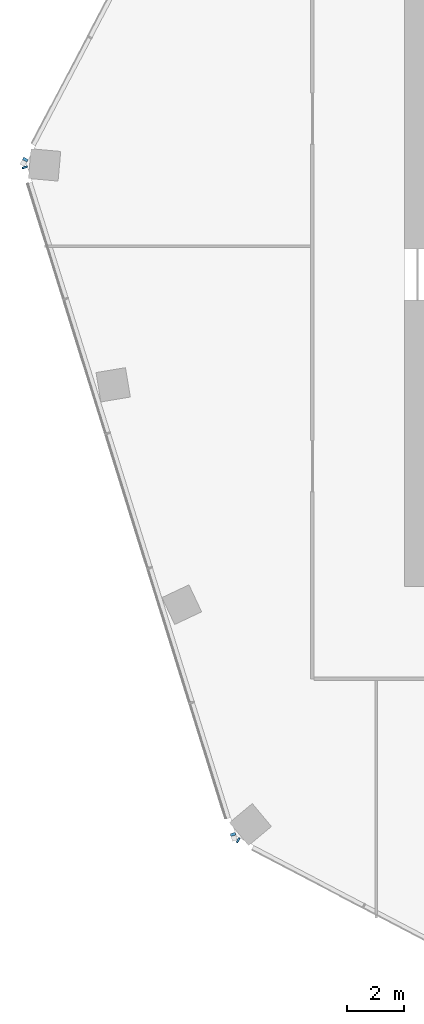
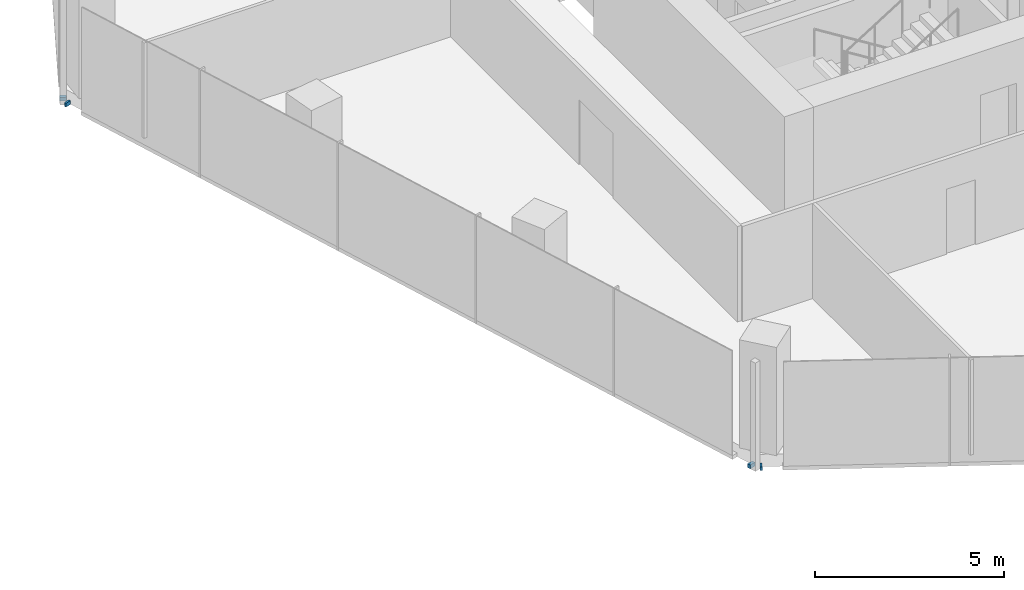
# One storey, part 12 of 23: 4 members, 3 elements without a shape of their own.
"""IFC4 building model written with IfcOpenShell, lengths in metres."""

import ifcopenshell
import ifcopenshell.guid

model = None  # the IFC model being written
_history = None  # IfcOwnerHistory: only IFC2X3 demands one
_inside = {}  # id of a spatial element -> (the spatial element, [elements in it])
_under = {}  # id of a project, library or spatial element -> (it, [spatial elements below it])
_declared = {}  # id of a project -> (the project, [libraries it declares])
_typed = {}  # id of a type object -> (the type object, [elements of that type])
_made_of = {}  # id of a material, layer set ... -> (it, [elements and type objects made of it])


def new_model(schema):
    """Start an empty IFC model of exactly this schema.

    Asked for "IFC4X3", IfcOpenShell would pick the latest addendum, in which some entities
    have other attributes; the version numbers below select the first issue.
    IFC2X3 requires an IfcOwnerHistory on every rooted entity: one is made here for all.
    """
    global model, _history
    if schema == "IFC4X3":
        model = ifcopenshell.file(schema_version=(4, 3, 0, 0))
    else:
        model = ifcopenshell.file(schema=schema)
    _inside.clear()
    _under.clear()
    _declared.clear()
    _typed.clear()
    _made_of.clear()
    _history = None
    if model.schema == "IFC2X3":
        org = make("IfcOrganization", Name="unknown")
        user = make(
            "IfcPersonAndOrganization",
            ThePerson=make("IfcPerson", FamilyName="unknown"),
            TheOrganization=org,
        )
        app = make(
            "IfcApplication",
            ApplicationDeveloper=org,
            Version="unknown",
            ApplicationFullName="unknown",
            ApplicationIdentifier="unknown",
        )
        _history = make(
            "IfcOwnerHistory",
            OwningUser=user,
            OwningApplication=app,
            ChangeAction="ADDED",
            CreationDate=0,
        )
    return model


def make(cls, **values):
    """One entity of the class cls with the attributes given. An attribute that is None is left unset."""
    return model.create_entity(
        cls, **{name: value for name, value in values.items() if value is not None}
    )


def rooted(cls, **values):
    """An entity with a GlobalId (a new one), such as an element, a storey or a relation."""
    return make(cls, GlobalId=ifcopenshell.guid.new(), OwnerHistory=_history, **values)


def si_unit(unit_type, name, prefix=None):
    """IfcSIUnit, for example si_unit("LENGTHUNIT", "METRE", prefix="MILLI")."""
    return make("IfcSIUnit", UnitType=unit_type, Prefix=prefix, Name=name)


def assignment(units):
    """IfcUnitAssignment: the units of a project."""
    return None if units is None else make("IfcUnitAssignment", Units=units)


def point(xyz):
    """IfcCartesianPoint."""
    return None if xyz is None else make("IfcCartesianPoint", Coordinates=xyz)


def direction(xyz):
    """IfcDirection."""
    return None if xyz is None else make("IfcDirection", DirectionRatios=xyz)


def frame(location, z_axis=None, x_axis=None):
    """IfcAxis2Placement3D, a coordinate frame: its origin and axes. An axis left out is left unset."""
    return make(
        "IfcAxis2Placement3D",
        Location=point(location),
        Axis=direction(z_axis),
        RefDirection=direction(x_axis),
    )


def frame_2d(location, x_axis=None):
    """IfcAxis2Placement2D, a coordinate frame in the plane: its origin and x axis."""
    return make(
        "IfcAxis2Placement2D", Location=point(location), RefDirection=direction(x_axis)
    )


def origin():
    """The frame at (0, 0, 0) with its axes left unset."""
    return frame((0.0, 0.0, 0.0))


def origin_2d():
    """The frame at (0, 0) in the plane with its x axis left unset."""
    return frame_2d((0.0, 0.0))


def place(relative_to, where):
    """IfcLocalPlacement: puts the frame where relative to a parent placement (None: the world)."""
    return make(
        "IfcLocalPlacement", PlacementRelTo=relative_to, RelativePlacement=where
    )


def context(
    kind, dimensions, precision=None, world=None, true_north=None, identifier=None
):
    """IfcGeometricRepresentationContext, for example the 3D "Model" context."""
    return make(
        "IfcGeometricRepresentationContext",
        ContextIdentifier=identifier,
        ContextType=kind,
        CoordinateSpaceDimension=dimensions,
        Precision=precision,
        WorldCoordinateSystem=world,
        TrueNorth=true_north,
    )


def subcontext(parent, identifier, kind, view, scale=None):
    """IfcGeometricRepresentationSubContext, for example "Body" below "Model"."""
    return make(
        "IfcGeometricRepresentationSubContext",
        ContextIdentifier=identifier,
        ContextType=kind,
        ParentContext=parent,
        TargetScale=scale,
        TargetView=view,
    )


def project(units=None, contexts=None):
    """IfcProject with its units and contexts."""
    return rooted(
        "IfcProject",
        Name="project",
        RepresentationContexts=contexts,
        UnitsInContext=assignment(units),
    )


def spatial(cls, under=None, at=None, **own):
    """A site, building, storey or space (cls), placed at a placement, below another one or the project."""
    s = rooted(cls, ObjectPlacement=at, **own)
    if under is not None:
        _under.setdefault(under.id(), (under, []))[1].append(s)
    return s


def profile(cls, at=None, kind="AREA", **sizes):
    """A parametric profile (cls). Its sizes go by their IFC names, for example OverallWidth=200.0."""
    return make(cls, ProfileType=kind, Position=at, **sizes)


def rectangle(**sizes):
    """IfcRectangleProfileDef."""
    return profile("IfcRectangleProfileDef", **sizes)


def extrude(swept, where, along, depth):
    """IfcExtrudedAreaSolid: the profile swept, set in the frame where, extruded along a direction by depth."""
    return make(
        "IfcExtrudedAreaSolid",
        SweptArea=swept,
        Position=where,
        ExtrudedDirection=direction(along),
        Depth=depth,
    )


def shape(context_of_items, identifier, shape_type, items):
    """IfcShapeRepresentation: the items that make up one representation, for example the "Body"."""
    return make(
        "IfcShapeRepresentation",
        ContextOfItems=context_of_items,
        RepresentationIdentifier=identifier,
        RepresentationType=shape_type,
        Items=items,
    )


def material(Name=None, Category=None):
    """IfcMaterial."""
    return make("IfcMaterial", Name=Name, Category=Category)


def material_profile(
    of_material, cross_section, Name=None, Category=None, Priority=None
):
    """IfcMaterialProfile: a cross section and its material."""
    return make(
        "IfcMaterialProfile",
        Name=Name,
        Material=of_material,
        Profile=cross_section,
        Priority=Priority,
        Category=Category,
    )


def profile_set(profiles, Name=None, composite=None):
    """IfcMaterialProfileSet."""
    return make(
        "IfcMaterialProfileSet",
        Name=Name,
        MaterialProfiles=profiles,
        CompositeProfile=composite,
    )


def made_of(thing, what):
    """Note that an element or type object is made of a material, layer set ...; save() writes the relation."""
    if what is not None:
        _made_of.setdefault(what.id(), (what, []))[1].append(thing)
    return thing


def type_object(cls, material=None, **own):
    """A type object (cls), such as IfcWallType, which elements share."""
    return made_of(rooted(cls, **own), material)


def element(
    cls,
    number,
    at=None,
    inside=None,
    cuts=None,
    type_object=None,
    material=None,
    context=None,
    identifier="Body",
    shape_type=None,
    held_by="IfcProductDefinitionShape",
    body=None,
    shapes=None,
    **own,
):
    """One element of the class cls, such as IfcWall. Its Tag is "e" and its number.

    at: its placement. inside: the storey or other place that contains it. cuts: it is an
    opening in that element (IfcRelVoidsElement). A single representation is given by context,
    identifier, shape_type and body (its items); several are given by shapes. held_by: the class
    of the entity that holds the representations. save() writes the other relations.
    """
    e = rooted(cls, Tag="e%d" % number, ObjectPlacement=at, **own)
    if body is not None:
        shapes = [shape(context, identifier, shape_type, body)]
    if shapes is not None:
        e.Representation = make(held_by, Representations=shapes)
    if inside is not None:
        _inside.setdefault(inside.id(), (inside, []))[1].append(e)
    if cuts is not None:
        rooted(
            "IfcRelVoidsElement", RelatingBuildingElement=cuts, RelatedOpeningElement=e
        )
    if type_object is not None:
        _typed.setdefault(type_object.id(), (type_object, []))[1].append(e)
    return made_of(e, material)


def aggregate(whole, parts):
    """IfcRelAggregates: a whole, such as a stair, and the parts it consists of."""
    return rooted("IfcRelAggregates", RelatingObject=whole, RelatedObjects=parts)


def save(model, path):
    """Write the relations noted so far, then the file.

    IfcRelAggregates (storeys below a building ...), IfcRelContainedInSpatialStructure (elements
    in a storey), IfcRelDefinesByType, IfcRelAssociatesMaterial and IfcRelDeclares: one each for
    every whole, place, type object, material and project.
    """
    for whole, parts in _under.values():
        aggregate(whole, parts)
    for where, things in _inside.values():
        rooted(
            "IfcRelContainedInSpatialStructure",
            RelatedElements=things,
            RelatingStructure=where,
        )
    for kind, things in _typed.values():
        rooted("IfcRelDefinesByType", RelatedObjects=things, RelatingType=kind)
    for what, things in _made_of.values():
        rooted("IfcRelAssociatesMaterial", RelatedObjects=things, RelatingMaterial=what)
    for by, libraries in _declared.values():
        rooted("IfcRelDeclares", RelatingContext=by, RelatedDefinitions=libraries)
    model.write(path)


model = new_model("IFC4")

# Units and contexts
model_context = context("Model", 3, precision=1e-05, world=origin(), true_north=direction((0.0, 1.0)))
body_context = subcontext(model_context, "Body", "Model", "MODEL_VIEW")
ifc_project = project(units=[si_unit("LENGTHUNIT", "METRE"), si_unit("AREAUNIT", "SQUARE_METRE"), si_unit("VOLUMEUNIT", "CUBIC_METRE"), si_unit("PLANEANGLEUNIT", "RADIAN"), si_unit("MASSUNIT", "GRAM", prefix="KILO")], contexts=[model_context])

# Site, building, storey
site_placement = place(None, origin())
site = spatial("IfcSite", under=ifc_project, at=site_placement, CompositionType="ELEMENT")
building_placement = place(site_placement, origin())
building = spatial("IfcBuilding", under=site, at=building_placement, Name="Orlundy Tower", CompositionType="ELEMENT")
storey_placement = place(building_placement, frame((0.0, 0.0, 264.0)))
storey = spatial("IfcBuildingStorey", under=building, at=storey_placement, Name="L70", CompositionType="ELEMENT", Elevation=264.0)

# Curtain wall, member
ifc_material_1 = material(Name="Aluminium bronze anodised", Category="aluminium")
curtain_wall_type = type_object("IfcCurtainWallType", Name="CW1 wall", PredefinedType="NOTDEFINED", material=ifc_material_1)
curtain_wall_1_placement = place(storey_placement, origin())
curtain_wall_1 = element("IfcCurtainWall", 1, at=curtain_wall_1_placement, inside=storey, type_object=curtain_wall_type, Name="CW1 run 00", PredefinedType="NOTDEFINED")
ifc_material_2 = material(Name="Aluminium bronze anodised", Category="aluminium")
ifc_material_profile = material_profile(ifc_material_2, rectangle(XDim=0.179931640625, YDim=0.1201171875, at=origin_2d()), Name="CW1 transom 180x120")
ifc_profile_set = profile_set([ifc_material_profile], Name="Aluminium bronze anodised")
member_type = type_object("IfcMemberType", Name="CW1 transom 180x120", PredefinedType="USERDEFINED", material=ifc_profile_set)
member_1_placement = place(storey_placement, frame((-24.8447265625, -20.948974609375, -0.340087890625), z_axis=(-0.884289970919, 0.466938162214, 0.0), x_axis=(-0.466938162214, -0.884289970919, 0.0)))
member_1 = element("IfcMember", 2, at=member_1_placement, type_object=member_type, Name="CW1 transom", ObjectType="TRANSOM", PredefinedType="USERDEFINED", context=body_context, shape_type="SweptSolid", body=[
    extrude(rectangle(XDim=0.179931640625, YDim=0.1201171875, at=origin_2d()), origin(), (0.0, 0.0, 1.0), 0.05908203125),
])
aggregate(curtain_wall_1, [member_1])

# Curtain wall, members
curtain_wall_2_placement = place(storey_placement, origin())
curtain_wall_2 = element("IfcCurtainWall", 3, at=curtain_wall_2_placement, inside=storey, type_object=curtain_wall_type, Name="CW1 run 01", PredefinedType="NOTDEFINED")
member_2_placement = place(storey_placement, frame((-25.03662109375, -20.7763671875, -0.340087890625), z_axis=(-0.299430668183, 0.954118061328, 0.0), x_axis=(-0.954118061328, -0.299430668183, 0.0)))
member_2 = element("IfcMember", 4, at=member_2_placement, type_object=member_type, Name="CW1 transom", ObjectType="TRANSOM", PredefinedType="USERDEFINED", context=body_context, shape_type="SweptSolid", body=[
    extrude(rectangle(XDim=0.179931640625, YDim=0.1201171875, at=origin_2d()), origin(), (0.0, 0.0, 1.0), 0.09619140625),
])
member_3_placement = place(storey_placement, frame((-32.380859375, 2.753173828125, -0.340087890625), z_axis=(-0.300555941545, 0.953764187838, 0.0), x_axis=(-0.953764187838, -0.300555941545, 0.0)))
member_3 = element("IfcMember", 5, at=member_3_placement, type_object=member_type, Name="CW1 transom", ObjectType="TRANSOM", PredefinedType="USERDEFINED", context=body_context, shape_type="SweptSolid", body=[
    extrude(rectangle(XDim=0.179931640625, YDim=0.1201171875, at=origin_2d()), origin(), (0.0, 0.0, 1.0), 0.06103515625),
])
aggregate(curtain_wall_2, [member_2, member_3])

# Curtain wall, member
curtain_wall_3_placement = place(storey_placement, origin())
curtain_wall_3 = element("IfcCurtainWall", 6, at=curtain_wall_3_placement, inside=storey, type_object=curtain_wall_type, Name="CW1 run 02", PredefinedType="NOTDEFINED")
member_4_placement = place(storey_placement, frame((-32.395263671875, 3.012451171875, -0.340087890625), z_axis=(0.465028834138, 0.885295534508, 0.0), x_axis=(-0.885295534508, 0.465028834138, 0.0)))
member_4 = element("IfcMember", 7, at=member_4_placement, type_object=member_type, Name="CW1 transom", ObjectType="TRANSOM", PredefinedType="USERDEFINED", context=body_context, shape_type="SweptSolid", body=[
    extrude(rectangle(XDim=0.179931640625, YDim=0.1201171875, at=origin_2d()), origin(), (0.0, 0.0, 1.0), 0.09814453125),
])
aggregate(curtain_wall_3, [member_4])

save(model, "model.ifc")
